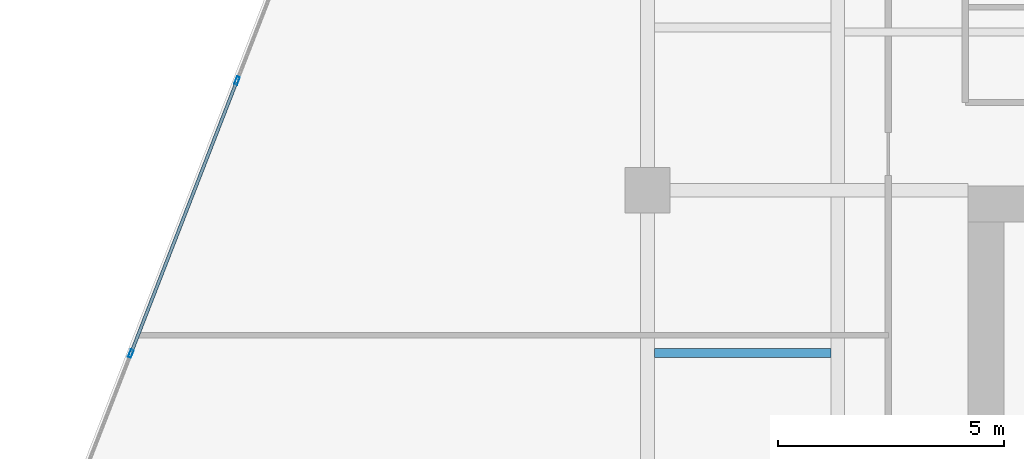
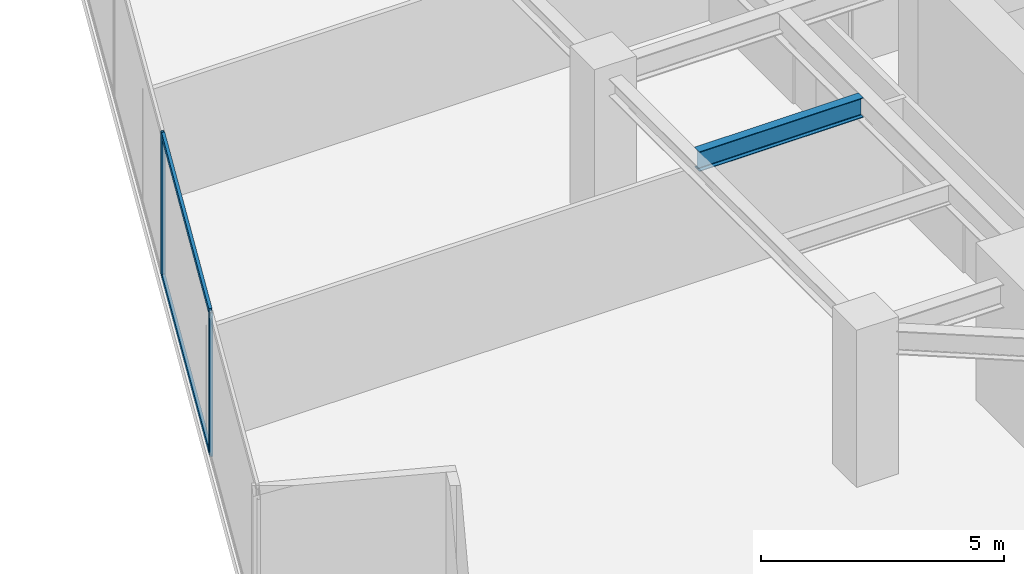
# One storey, part 7 of 26: 4 members, 1 beam, 1 element without a shape of its own.
"""IFC4 building model written with IfcOpenShell, lengths in metres."""

from ifc_helpers import new_model, si_unit, direction, frame, origin, origin_2d, place, context, subcontext, project, spatial, hollow_rectangle, i_section, extrude, source, transform, mapped, material, material_profile, profile_set, type_object, type_shapes, element, aggregate, save


model = new_model("IFC4")

# Units and contexts
model_context = context("Model", 3, precision=1e-05, world=origin(), true_north=direction((0.0, 1.0)))
body_context = subcontext(model_context, "Body", "Model", "MODEL_VIEW")
ifc_project = project(units=[si_unit("LENGTHUNIT", "METRE"), si_unit("AREAUNIT", "SQUARE_METRE"), si_unit("VOLUMEUNIT", "CUBIC_METRE"), si_unit("PLANEANGLEUNIT", "RADIAN"), si_unit("MASSUNIT", "GRAM", prefix="KILO")], contexts=[model_context])

# Site, building, storey
site_placement = place(None, origin())
site = spatial("IfcSite", under=ifc_project, at=site_placement, CompositionType="ELEMENT")
building_placement = place(site_placement, origin())
building = spatial("IfcBuilding", under=site, at=building_placement, Name="Krantzveldt Concourse Tower", CompositionType="ELEMENT")
storey_placement = place(building_placement, frame((0.0, 0.0, 137.449951171875)))
storey = spatial("IfcBuildingStorey", under=building, at=storey_placement, Name="L33", CompositionType="ELEMENT", Elevation=137.449951171875)

# Beam
ifc_material_1 = material(Name="Steel S355JR", Category="steel")
ifc_material_profile_1 = material_profile(ifc_material_1, i_section(OverallWidth=0.199951171875, OverallDepth=0.5, WebThickness=0.01025390625, FlangeThickness=0.01611328125, FilletRadius=0.02099609375, at=origin_2d()), Name="Steel S355JR", Category="steel")
ifc_profile_set_1 = profile_set([ifc_material_profile_1], Name="Steel S355JR - IPE 500")
beam_type = type_object("IfcBeamType", Name="BM-J-IPE500", PredefinedType="JOIST", material=ifc_profile_set_1)
shared_shape_1 = source(origin(), body_context, "Body", "SweptSolid", [
    extrude(i_section(OverallWidth=0.199951171875, OverallDepth=0.5, WebThickness=0.01025390625, FlangeThickness=0.01611328125, FilletRadius=0.02099609375, at=origin_2d()), origin(), (0.0, 0.0, 1.0), 3.900146484375),
])
type_shapes(beam_type, [shared_shape_1])
beam_placement = place(storey_placement, frame((21.14990234375, 23.10009765625, 3.35009765625), z_axis=(1.0, 0.0, 0.0), x_axis=(0.0, 1.0, 0.0)))
element("IfcBeam", 1, at=beam_placement, inside=storey, type_object=beam_type, Name="L33 Secondary Floor Joist JW-2", PredefinedType="JOIST", context=body_context, shape_type="MappedRepresentation", body=[
    mapped(shared_shape_1, transform((0.0, 0.0, 0.0), x_axis=(1.0, 0.0, 0.0), y_axis=(0.0, 1.0, 0.0), z_axis=(0.0, 0.0, 1.0), scale=1.0)),
])

# Curtain wall, members
ifc_material_2 = material(Name="Anodised aluminium 6063-T6", Category="aluminium")
curtain_wall_type = type_object("IfcCurtainWallType", Name="CW2", PredefinedType="USERDEFINED", material=ifc_material_2)
curtain_wall_placement = place(storey_placement, origin())
curtain_wall = element("IfcCurtainWall", 2, at=curtain_wall_placement, inside=storey, type_object=curtain_wall_type, Name="CW-L33-F01", ObjectType="UNITISED CURTAIN WALL", PredefinedType="USERDEFINED")
ifc_material_profile_2 = material_profile(ifc_material_2, hollow_rectangle(XDim=0.070068359375, YDim=0.139892578125, WallThickness=0.0048828125, at=origin_2d()), Name="Anodised aluminium 6063-T6", Category="aluminium")
ifc_profile_set_2 = profile_set([ifc_material_profile_2], Name="Anodised aluminium 6063-T6 - ALU-TRAN 140x70x5")
member_type_1 = type_object("IfcMemberType", Name="CW-TRN-150", PredefinedType="USERDEFINED", material=ifc_profile_set_2)
shared_shape_2 = source(origin(), body_context, "Body", "SweptSolid", [
    extrude(hollow_rectangle(XDim=0.070068359375, YDim=0.139892578125, WallThickness=0.0048828125, at=origin_2d()), origin(), (0.0, 0.0, 1.0), 6.396484375),
])
type_shapes(member_type_1, [shared_shape_2])
member_1_placement = place(storey_placement, frame((11.91845703125, 29.0888671875, 0.03515625), z_axis=(-0.36243705186, -0.932008252882, 0.0), x_axis=(0.932008252882, -0.36243705186, 0.0)))
member_1 = element("IfcMember", 3, at=member_1_placement, type_object=member_type_1, Name="CW-Z12 transom 5.1", ObjectType="TRANSOM", PredefinedType="USERDEFINED", context=body_context, shape_type="MappedRepresentation", body=[
    mapped(shared_shape_2, transform((0.0, 0.0, 0.0), x_axis=(1.0, 0.0, 0.0), y_axis=(0.0, 1.0, 0.0), z_axis=(0.0, 0.0, 1.0), scale=1.0)),
])
member_2_placement = place(storey_placement, frame((11.91845703125, 29.0888671875, 3.56494140625), z_axis=(-0.36243705186, -0.932008252882, 0.0), x_axis=(0.932008252882, -0.36243705186, 0.0)))
member_2 = element("IfcMember", 4, at=member_2_placement, type_object=member_type_1, Name="CW-Z12 transom 5.2", ObjectType="TRANSOM", PredefinedType="USERDEFINED", context=body_context, shape_type="MappedRepresentation", body=[
    mapped(shared_shape_2, transform((0.0, 0.0, 0.0), x_axis=(1.0, 0.0, 0.0), y_axis=(0.0, 1.0, 0.0), z_axis=(0.0, 0.0, 1.0), scale=1.0)),
])
ifc_material_profile_3 = material_profile(ifc_material_2, hollow_rectangle(XDim=0.070068359375, YDim=0.179931640625, WallThickness=0.0048828125, at=origin_2d()), Name="Anodised aluminium 6063-T6", Category="aluminium")
ifc_profile_set_3 = profile_set([ifc_material_profile_3], Name="Anodised aluminium 6063-T6 - ALU-MULL 180x70x5")
member_type_2 = type_object("IfcMemberType", Name="CW-MUL-180", PredefinedType="MULLION", material=ifc_profile_set_3)
shared_shape_3 = source(origin(), body_context, "Body", "SweptSolid", [
    extrude(hollow_rectangle(XDim=0.070068359375, YDim=0.179931640625, WallThickness=0.0048828125, at=origin_2d()), origin(), (0.0, 0.0, 1.0), 3.60009765625),
])
type_shapes(member_type_2, [shared_shape_3])
member_3_placement = place(storey_placement, frame((11.93115234375, 29.121337890625, 0.0), z_axis=(0.0, 0.0, 1.0), x_axis=(0.93200790248, -0.362437952917, 0.0)))
member_3 = element("IfcMember", 5, at=member_3_placement, type_object=member_type_2, Name="CW-Z12 mullion 5", PredefinedType="MULLION", context=body_context, shape_type="MappedRepresentation", body=[
    mapped(shared_shape_3, transform((0.0, 0.0, 0.0), x_axis=(1.0, 0.0, 0.0), y_axis=(0.0, 1.0, 0.0), z_axis=(0.0, 0.0, 1.0), scale=1.0)),
])
member_4_placement = place(storey_placement, frame((9.58740234375, 23.094482421875, 0.0), z_axis=(0.0, 0.0, 1.0), x_axis=(0.93200790248, -0.362437952917, 0.0)))
member_4 = element("IfcMember", 6, at=member_4_placement, type_object=member_type_2, Name="CW-Z12 mullion 6", PredefinedType="MULLION", context=body_context, shape_type="MappedRepresentation", body=[
    mapped(shared_shape_3, transform((0.0, 0.0, 0.0), x_axis=(1.0, 0.0, 0.0), y_axis=(0.0, 1.0, 0.0), z_axis=(0.0, 0.0, 1.0), scale=1.0)),
])
aggregate(curtain_wall, [member_3, member_4, member_1, member_2])

save(model, "model.ifc")
